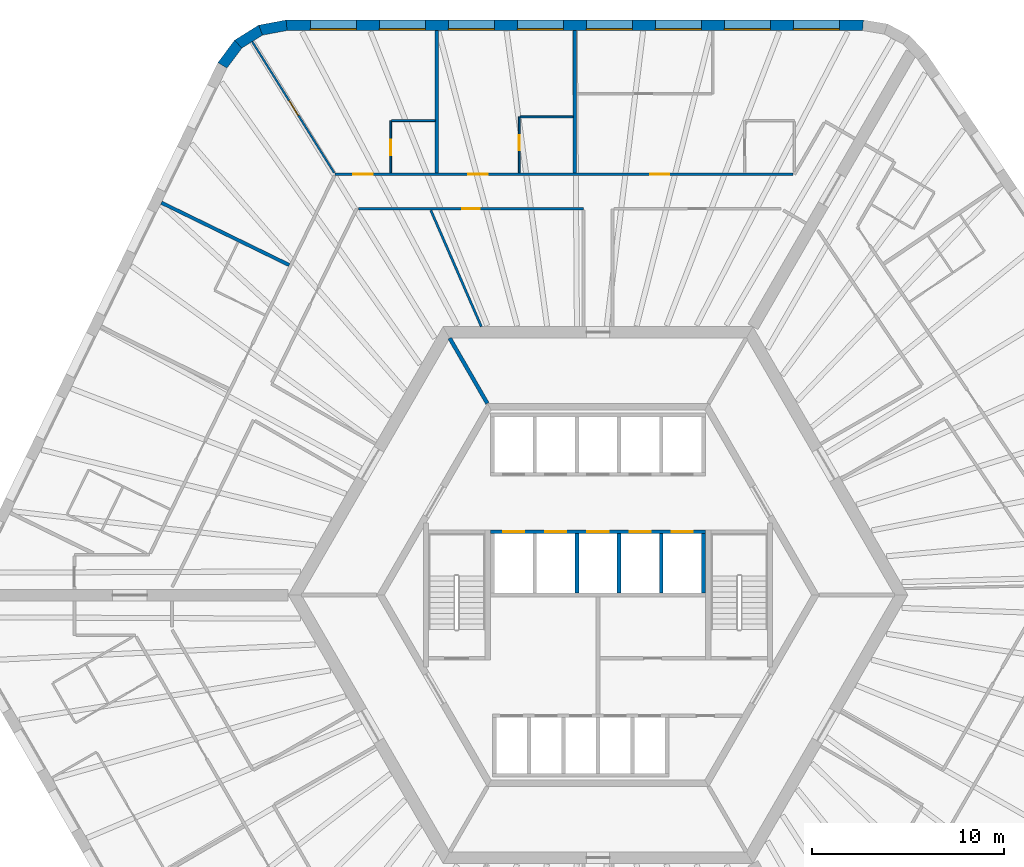
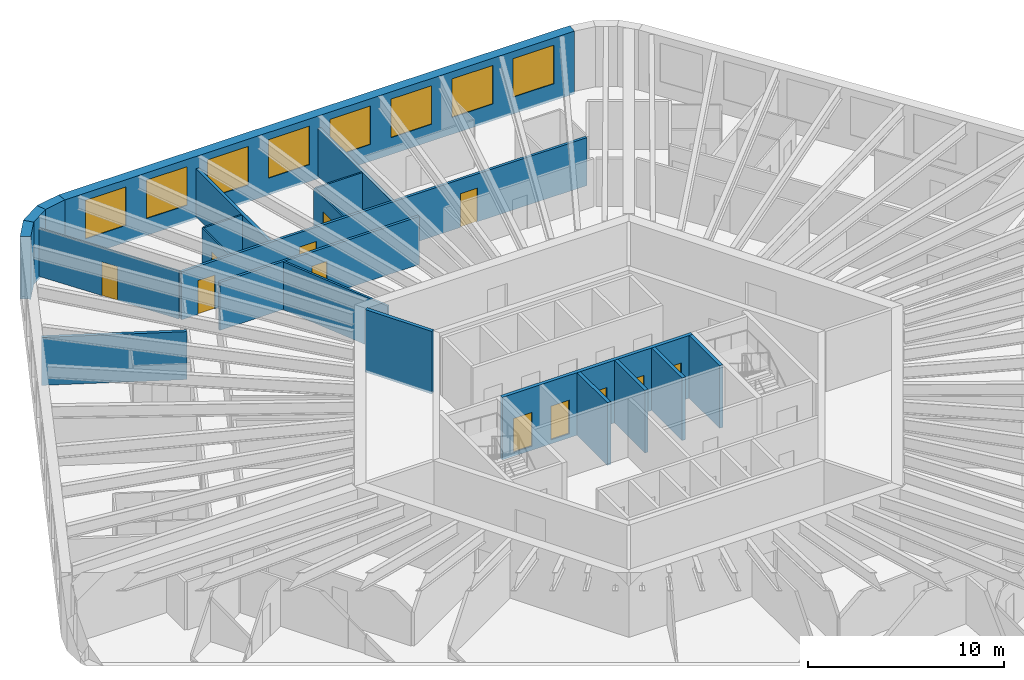
# One storey, part 8 of 12: 21 walls, 12 doors, 8 windows, 20 openings.
"""IFC4 building model written with IfcOpenShell, lengths in metres."""

from ifc_helpers import new_model, si_unit, direction, frame, frame_2d, origin, place, context, subcontext, project, spatial, polyline, rectangle, outline, extrude, material, layer, layer_set, type_object, element, fill, save


model = new_model("IFC4")

# Units and contexts
model_context = context("Model", 3, precision=1e-05, world=origin(), true_north=direction((0.0, 1.0)))
body_context = subcontext(model_context, "Body", "Model", "MODEL_VIEW")
ifc_project = project(units=[si_unit("LENGTHUNIT", "METRE"), si_unit("AREAUNIT", "SQUARE_METRE"), si_unit("VOLUMEUNIT", "CUBIC_METRE"), si_unit("PLANEANGLEUNIT", "RADIAN"), si_unit("MASSUNIT", "GRAM", prefix="KILO")], contexts=[model_context])

# Site, building, storey
site_placement = place(None, origin())
site = spatial("IfcSite", under=ifc_project, at=site_placement, CompositionType="ELEMENT")
building_placement = place(site_placement, origin())
building = spatial("IfcBuilding", under=site, at=building_placement, Name="Tarnside Tower", CompositionType="ELEMENT")
storey_placement = place(building_placement, frame((0.0, 0.0, 127.199951171875)))
storey = spatial("IfcBuildingStorey", under=building, at=storey_placement, Name="L29", CompositionType="ELEMENT", Elevation=127.199951171875)

# Wall, opening, door
ifc_material_1 = material(Name="Gypsum board partition on steel studs", Category="steel")
ifc_layer_1 = layer(ifc_material_1, 0.10009765625)
ifc_layer_set_1 = layer_set([ifc_layer_1], Name="Bathroom wall 100")
wall_type_1 = type_object("IfcWallType", Name="Bathroom wall 100", PredefinedType="PARTITIONING", material=ifc_layer_set_1)
wall_1_placement = place(storey_placement, frame((-4.111083984375, 22.02490234375, 0.0), z_axis=(0.0, 0.0, 1.0), x_axis=(0.0, 1.0, 0.0)))
wall_1 = element("IfcWall", 1, at=wall_1_placement, inside=storey, type_object=wall_type_1, Name="Bathroom wall 09089", PredefinedType="PARTITIONING", context=body_context, shape_type="SweptSolid", body=[
    extrude(rectangle(XDim=2.925048828125, YDim=0.10009765625, at=frame_2d((1.46240234375, 0.0))), origin(), (0.0, 0.0, 1.0), 2.98779296875),
])
opening_1_placement = place(wall_1_placement, frame((1.175048828125, 0.0, 0.0)))
opening_1 = element("IfcOpeningElement", 2, at=opening_1_placement, cuts=wall_1, Name="Opening D-B1", PredefinedType="OPENING", context=body_context, shape_type="SweptSolid", body=[
    extrude(rectangle(XDim=0.800048828125, YDim=2.10009765625, at=frame_2d((0.39990234375, 1.050048828125))), frame((0.0, 0.06005859375, 0.0), z_axis=(0.0, -1.0, 0.0), x_axis=(1.0, 0.0, 0.0)), (0.0, 0.0, 1.0), 0.1201171875),
])
ifc_material_2 = material(Name="Timber door leaf", Category="wood")
door_type_1 = type_object("IfcDoorType", Name="Bathroom door 800", OperationType="NOTDEFINED", PredefinedType="DOOR", material=ifc_material_2)
door_1_placement = place(opening_1_placement, origin())
door_1 = element("IfcDoor", 3, at=door_1_placement, inside=storey, type_object=door_type_1, Name="Bathroom door 09005", OperationType="SINGLE_SWING_LEFT", OverallHeight=2.10009765625, OverallWidth=0.800048828125, PredefinedType="DOOR", context=body_context, shape_type="SweptSolid", body=[
    extrude(rectangle(XDim=0.800048828125, YDim=2.10009765625, at=frame_2d((0.39990234375, 1.050048828125))), frame((0.0, 0.02490234375, 0.0), z_axis=(0.0, -1.0, 0.0), x_axis=(1.0, 0.0, 0.0)), (0.0, 0.0, 1.0), 0.050048828125),
])
fill(opening_1, door_1)

# Wall
wall_2_placement = place(storey_placement, frame((-4.06103515625, 24.949951171875, 0.0), z_axis=(0.0, 0.0, 1.0), x_axis=(1.0, 0.0, 0.0)))
element("IfcWall", 4, at=wall_2_placement, inside=storey, type_object=wall_type_1, Name="Bathroom wall 09090", PredefinedType="PARTITIONING", context=body_context, shape_type="SweptSolid", body=[
    extrude(rectangle(XDim=2.760009765625, YDim=0.10009765625, at=frame_2d((1.3798828125, 0.0))), origin(), (0.0, 0.0, 1.0), 2.98779296875),
])

# Wall, opening, door
wall_3_placement = place(storey_placement, frame((-10.81103515625, 22.02490234375, 0.0), z_axis=(0.0, 0.0, 1.0), x_axis=(0.0, 1.0, 0.0)))
wall_3 = element("IfcWall", 5, at=wall_3_placement, inside=storey, type_object=wall_type_1, Name="Bathroom wall 09093", PredefinedType="PARTITIONING", context=body_context, shape_type="SweptSolid", body=[
    extrude(rectangle(XDim=2.72509765625, YDim=0.10009765625, at=frame_2d((1.362548828125, 0.0))), origin(), (0.0, 0.0, 1.0), 2.98779296875),
])
opening_2_placement = place(wall_3_placement, frame((0.925048828125, 0.0, 0.0)))
opening_2 = element("IfcOpeningElement", 6, at=opening_2_placement, cuts=wall_3, Name="Opening D-B1", PredefinedType="OPENING", context=body_context, shape_type="SweptSolid", body=[
    extrude(rectangle(XDim=0.800048828125, YDim=2.10009765625, at=frame_2d((0.39990234375, 1.050048828125))), frame((0.0, 0.06005859375, 0.0), z_axis=(0.0, -1.0, 0.0), x_axis=(1.0, 0.0, 0.0)), (0.0, 0.0, 1.0), 0.1201171875),
])
door_2_placement = place(opening_2_placement, origin())
door_2 = element("IfcDoor", 7, at=door_2_placement, inside=storey, type_object=door_type_1, Name="Bathroom door 09007", OperationType="SINGLE_SWING_RIGHT", OverallHeight=2.10009765625, OverallWidth=0.800048828125, PredefinedType="DOOR", context=body_context, shape_type="SweptSolid", body=[
    extrude(rectangle(XDim=0.800048828125, YDim=2.10009765625, at=frame_2d((0.39990234375, 1.050048828125))), frame((0.0, 0.02490234375, 0.0), z_axis=(0.0, -1.0, 0.0), x_axis=(1.0, 0.0, 0.0)), (0.0, 0.0, 1.0), 0.050048828125),
])
fill(opening_2, door_2)

# Wall
wall_4_placement = place(storey_placement, frame((-10.760986328125, 24.75, 0.0), z_axis=(0.0, 0.0, 1.0), x_axis=(1.0, 0.0, 0.0)))
element("IfcWall", 8, at=wall_4_placement, inside=storey, type_object=wall_type_1, Name="Bathroom wall 09094", PredefinedType="PARTITIONING", context=body_context, shape_type="SweptSolid", body=[
    extrude(rectangle(XDim=2.260009765625, YDim=0.10009765625, at=frame_2d((1.1298828125, 0.0))), origin(), (0.0, 0.0, 1.0), 2.98779296875),
])

# Wall, openings, doors
ifc_layer_2 = layer(ifc_material_1, 0.14990234375)
ifc_layer_set_2 = layer_set([ifc_layer_2], Name="Corridor wall 150 EI 60")
wall_type_2 = type_object("IfcWallType", Name="Corridor wall 150 EI 60", PredefinedType="PARTITIONING", material=ifc_layer_set_2)
wall_5_placement = place(storey_placement, frame((10.161376953125, 21.949951171875, 0.0), z_axis=(0.0, 0.0, 1.0), x_axis=(-1.0, 0.0, 0.0)))
wall_5 = element("IfcWall", 9, at=wall_5_placement, inside=storey, type_object=wall_type_2, Name="Corridor wall 09001", PredefinedType="PARTITIONING", context=body_context, shape_type="SweptSolid", body=[
    extrude(rectangle(XDim=23.877197265625, YDim=0.14990234375, at=frame_2d((11.9384765625, 0.0))), origin(), (0.0, 0.0, 1.0), 2.98779296875),
])
opening_3_placement = place(wall_5_placement, frame((6.44287109375, 0.0, 0.0)))
opening_3 = element("IfcOpeningElement", 10, at=opening_3_placement, cuts=wall_5, Name="Opening D-E1", PredefinedType="OPENING", context=body_context, shape_type="SweptSolid", body=[
    extrude(rectangle(XDim=1.0, YDim=2.10009765625, at=frame_2d((0.5, 1.050048828125))), frame((0.0, 0.0849609375, 0.0), z_axis=(0.0, -1.0, 0.0), x_axis=(1.0, 0.0, 0.0)), (0.0, 0.0, 1.0), 0.169921875),
])
opening_4_placement = place(wall_5_placement, frame((15.92236328125, 0.0, 0.0)))
opening_4 = element("IfcOpeningElement", 11, at=opening_4_placement, cuts=wall_5, Name="Opening D-E1", PredefinedType="OPENING", context=body_context, shape_type="SweptSolid", body=[
    extrude(rectangle(XDim=1.0, YDim=2.10009765625, at=frame_2d((0.5, 1.050048828125))), frame((0.0, 0.0849609375, 0.0), z_axis=(0.0, -1.0, 0.0), x_axis=(1.0, 0.0, 0.0)), (0.0, 0.0, 1.0), 0.169921875),
])
opening_5_placement = place(wall_5_placement, frame((21.9248046875, 0.0, 0.0)))
opening_5 = element("IfcOpeningElement", 12, at=opening_5_placement, cuts=wall_5, Name="Opening D-E1", PredefinedType="OPENING", context=body_context, shape_type="SweptSolid", body=[
    extrude(rectangle(XDim=1.0, YDim=2.10009765625, at=frame_2d((0.5, 1.050048828125))), frame((0.0, 0.0849609375, 0.0), z_axis=(0.0, -1.0, 0.0), x_axis=(1.0, 0.0, 0.0)), (0.0, 0.0, 1.0), 0.169921875),
])
door_type_2 = type_object("IfcDoorType", Name="Unit entrance door 1000 FD30S", OperationType="NOTDEFINED", PredefinedType="DOOR", material=ifc_material_2)
door_3_placement = place(opening_3_placement, origin())
door_3 = element("IfcDoor", 13, at=door_3_placement, inside=storey, type_object=door_type_2, Name="Unit door 09001", OperationType="SINGLE_SWING_RIGHT", OverallHeight=2.10009765625, OverallWidth=1.0, PredefinedType="DOOR", context=body_context, shape_type="SweptSolid", body=[
    extrude(rectangle(XDim=1.0, YDim=2.10009765625, at=frame_2d((0.5, 1.050048828125))), frame((0.0, 0.02490234375, 0.0), z_axis=(0.0, -1.0, 0.0), x_axis=(1.0, 0.0, 0.0)), (0.0, 0.0, 1.0), 0.050048828125),
])
fill(opening_3, door_3)
door_4_placement = place(opening_4_placement, origin())
door_4 = element("IfcDoor", 14, at=door_4_placement, inside=storey, type_object=door_type_2, Name="Unit door 09004", OperationType="SINGLE_SWING_LEFT", OverallHeight=2.10009765625, OverallWidth=1.0, PredefinedType="DOOR", context=body_context, shape_type="SweptSolid", body=[
    extrude(rectangle(XDim=1.0, YDim=2.10009765625, at=frame_2d((0.5, 1.050048828125))), frame((0.0, 0.02490234375, 0.0), z_axis=(0.0, -1.0, 0.0), x_axis=(1.0, 0.0, 0.0)), (0.0, 0.0, 1.0), 0.050048828125),
])
fill(opening_4, door_4)
door_5_placement = place(opening_5_placement, origin())
door_5 = element("IfcDoor", 15, at=door_5_placement, inside=storey, type_object=door_type_2, Name="Unit door 09006", OperationType="SINGLE_SWING_LEFT", OverallHeight=2.10009765625, OverallWidth=1.0, PredefinedType="DOOR", context=body_context, shape_type="SweptSolid", body=[
    extrude(rectangle(XDim=1.0, YDim=2.10009765625, at=frame_2d((0.5, 1.050048828125))), frame((0.0, 0.02490234375, 0.0), z_axis=(0.0, -1.0, 0.0), x_axis=(1.0, 0.0, 0.0)), (0.0, 0.0, 1.0), 0.050048828125),
])
fill(opening_5, door_5)

# Wall, opening, door
wall_6_placement = place(storey_placement, frame((-12.507568359375, 20.14990234375, 0.0), z_axis=(0.0, 0.0, 1.0), x_axis=(1.0, 0.0, 0.0)))
wall_6 = element("IfcWall", 16, at=wall_6_placement, inside=storey, type_object=wall_type_2, Name="Corridor wall 09017", PredefinedType="PARTITIONING", context=body_context, shape_type="SweptSolid", body=[
    extrude(rectangle(XDim=11.757568359375, YDim=0.14990234375, at=frame_2d((5.87890625, 0.0))), origin(), (0.0, 0.0, 1.0), 2.98779296875),
])
opening_6_placement = place(wall_6_placement, frame((5.428955078125, 0.0, 0.0)))
opening_6 = element("IfcOpeningElement", 17, at=opening_6_placement, cuts=wall_6, Name="Opening D-S1", PredefinedType="OPENING", context=body_context, shape_type="SweptSolid", body=[
    extrude(rectangle(XDim=0.89990234375, YDim=2.10009765625, at=frame_2d((0.449951171875, 1.050048828125))), frame((0.0, 0.0849609375, 0.0), z_axis=(0.0, -1.0, 0.0), x_axis=(1.0, 0.0, 0.0)), (0.0, 0.0, 1.0), 0.169921875),
])
door_type_3 = type_object("IfcDoorType", Name="Service room door 900 FD30S", OperationType="NOTDEFINED", PredefinedType="DOOR", material=ifc_material_2)
door_6_placement = place(opening_6_placement, origin())
door_6 = element("IfcDoor", 18, at=door_6_placement, inside=storey, type_object=door_type_3, Name="Service door 09045", OperationType="SINGLE_SWING_RIGHT", OverallHeight=2.10009765625, OverallWidth=0.89990234375, PredefinedType="DOOR", context=body_context, shape_type="SweptSolid", body=[
    extrude(rectangle(XDim=0.89990234375, YDim=2.10009765625, at=frame_2d((0.449951171875, 1.050048828125))), frame((0.0, 0.02490234375, 0.0), z_axis=(0.0, -1.0, 0.0), x_axis=(1.0, 0.0, 0.0)), (0.0, 0.0, 1.0), 0.050048828125),
])
fill(opening_6, door_6)

# Walls
ifc_layer_3 = layer(ifc_material_1, 0.179931640625)
ifc_layer_set_3 = layer_set([ifc_layer_3], Name="Demising wall 180 EI 60")
wall_type_3 = type_object("IfcWallType", Name="Demising wall 180 EI 60", PredefinedType="PARTITIONING", material=ifc_layer_set_3)
for number, where, z_axis, x_axis, name in (
    (19, (-1.2109375, 29.449951171875, 0.0), (0.0, 0.0, 1.0), (0.0, -1.0, 0.0), "Demising wall 09086"),
    (20, (-8.4111328125, 29.449951171875, 0.0), (0.0, 0.0, 1.0), (0.0, -1.0, 0.0), "Demising wall 09091"),
    (21, (-22.7822265625, 20.469970703125, 0.0), (0.0, 0.0, 1.0), (0.898796252669, -0.438366623032, 0.0), "Demising wall 09096"),
):
    element("IfcWall", number, at=place(storey_placement, frame(where, z_axis=z_axis, x_axis=x_axis)), inside=storey, type_object=wall_type_3, Name=name, PredefinedType="PARTITIONING", context=body_context, shape_type="SweptSolid", body=[
        extrude(rectangle(XDim=7.425048828125, YDim=0.179931640625, at=frame_2d((3.71240234375, 0.0))), origin(), (0.0, 0.0, 1.0), 2.98779296875),
    ])

# Wall, openings, doors
ifc_material_3 = material(Name="Concrete C40/50", Category="concrete")
ifc_layer_4 = layer(ifc_material_3, 0.199951171875)
ifc_layer_set_4 = layer_set([ifc_layer_4], Name="Lift shaft wall 200 C40/50")
wall_type_4 = type_object("IfcWallType", Name="Lift shaft wall 200 C40/50", PredefinedType="SHEAR", material=ifc_layer_set_4)
wall_7_placement = place(storey_placement, frame((-5.60009765625, 3.300048828125, -0.25), z_axis=(0.0, 0.0, 1.0), x_axis=(1.0, 0.0, 0.0)))
wall_7 = element("IfcWall", 22, at=wall_7_placement, inside=storey, type_object=wall_type_4, Name="L29 lift shaft front wall R2", PredefinedType="SHEAR", context=body_context, shape_type="SweptSolid", body=[
    extrude(rectangle(XDim=11.2001953125, YDim=0.199951171875, at=frame_2d((5.60009765625, 0.0))), origin(), (0.0, 0.0, 1.0), 3.900146484375),
])
opening_7_placement = place(wall_7_placement, frame((0.64990234375, 0.0, 0.25)))
opening_7 = element("IfcOpeningElement", 23, at=opening_7_placement, cuts=wall_7, Name="Opening LD", PredefinedType="OPENING", context=body_context, shape_type="SweptSolid", body=[
    extrude(rectangle(XDim=1.10009765625, YDim=2.10009765625, at=frame_2d((0.550048828125, 1.050048828125))), frame((0.0, 0.10986328125, 0.0), z_axis=(0.0, -1.0, 0.0), x_axis=(1.0, 0.0, 0.0)), (0.0, 0.0, 1.0), 0.219970703125),
])
opening_8_placement = place(wall_7_placement, frame((2.85009765625, 0.0, 0.25)))
opening_8 = element("IfcOpeningElement", 24, at=opening_8_placement, cuts=wall_7, Name="Opening LD", PredefinedType="OPENING", context=body_context, shape_type="SweptSolid", body=[
    extrude(rectangle(XDim=1.10009765625, YDim=2.10009765625, at=frame_2d((0.550048828125, 1.050048828125))), frame((0.0, 0.10986328125, 0.0), z_axis=(0.0, -1.0, 0.0), x_axis=(1.0, 0.0, 0.0)), (0.0, 0.0, 1.0), 0.219970703125),
])
opening_9_placement = place(wall_7_placement, frame((5.050048828125, 0.0, 0.25)))
opening_9 = element("IfcOpeningElement", 25, at=opening_9_placement, cuts=wall_7, Name="Opening LD", PredefinedType="OPENING", context=body_context, shape_type="SweptSolid", body=[
    extrude(rectangle(XDim=1.10009765625, YDim=2.10009765625, at=frame_2d((0.550048828125, 1.050048828125))), frame((0.0, 0.10986328125, 0.0), z_axis=(0.0, -1.0, 0.0), x_axis=(1.0, 0.0, 0.0)), (0.0, 0.0, 1.0), 0.219970703125),
])
opening_10_placement = place(wall_7_placement, frame((7.25, 0.0, 0.25)))
opening_10 = element("IfcOpeningElement", 26, at=opening_10_placement, cuts=wall_7, Name="Opening LD", PredefinedType="OPENING", context=body_context, shape_type="SweptSolid", body=[
    extrude(rectangle(XDim=1.10009765625, YDim=2.10009765625, at=frame_2d((0.550048828125, 1.050048828125))), frame((0.0, 0.10986328125, 0.0), z_axis=(0.0, -1.0, 0.0), x_axis=(1.0, 0.0, 0.0)), (0.0, 0.0, 1.0), 0.219970703125),
])
opening_11_placement = place(wall_7_placement, frame((9.449951171875, 0.0, 0.25)))
opening_11 = element("IfcOpeningElement", 27, at=opening_11_placement, cuts=wall_7, Name="Opening LD", PredefinedType="OPENING", context=body_context, shape_type="SweptSolid", body=[
    extrude(rectangle(XDim=1.10009765625, YDim=2.10009765625, at=frame_2d((0.550048828125, 1.050048828125))), frame((0.0, 0.10986328125, 0.0), z_axis=(0.0, -1.0, 0.0), x_axis=(1.0, 0.0, 0.0)), (0.0, 0.0, 1.0), 0.219970703125),
])
ifc_material_4 = material(Name="Stainless steel", Category="steel")
door_type_4 = type_object("IfcDoorType", Name="Lift landing door 1100x2100", OperationType="NOTDEFINED", PredefinedType="DOOR", material=ifc_material_4)
door_7_placement = place(opening_7_placement, origin())
door_7 = element("IfcDoor", 28, at=door_7_placement, inside=storey, type_object=door_type_4, Name="Low-rise lift 4 landing door L29", OperationType="SLIDING_TO_LEFT", OverallHeight=2.10009765625, OverallWidth=1.10009765625, PredefinedType="DOOR", context=body_context, shape_type="SweptSolid", body=[
    extrude(rectangle(XDim=1.10009765625, YDim=2.10009765625, at=frame_2d((0.550048828125, 1.050048828125))), frame((0.0, 0.02490234375, 0.0), z_axis=(0.0, -1.0, 0.0), x_axis=(1.0, 0.0, 0.0)), (0.0, 0.0, 1.0), 0.050048828125),
])
fill(opening_7, door_7)
door_8_placement = place(opening_8_placement, origin())
door_8 = element("IfcDoor", 29, at=door_8_placement, inside=storey, type_object=door_type_4, Name="Low-rise lift 5 landing door L29", OperationType="SLIDING_TO_LEFT", OverallHeight=2.10009765625, OverallWidth=1.10009765625, PredefinedType="DOOR", context=body_context, shape_type="SweptSolid", body=[
    extrude(rectangle(XDim=1.10009765625, YDim=2.10009765625, at=frame_2d((0.550048828125, 1.050048828125))), frame((0.0, 0.02490234375, 0.0), z_axis=(0.0, -1.0, 0.0), x_axis=(1.0, 0.0, 0.0)), (0.0, 0.0, 1.0), 0.050048828125),
])
fill(opening_8, door_8)
door_9_placement = place(opening_9_placement, origin())
door_9 = element("IfcDoor", 30, at=door_9_placement, inside=storey, type_object=door_type_4, Name="Low-rise lift 6 landing door L29", OperationType="SLIDING_TO_LEFT", OverallHeight=2.10009765625, OverallWidth=1.10009765625, PredefinedType="DOOR", context=body_context, shape_type="SweptSolid", body=[
    extrude(rectangle(XDim=1.10009765625, YDim=2.10009765625, at=frame_2d((0.550048828125, 1.050048828125))), frame((0.0, 0.02490234375, 0.0), z_axis=(0.0, -1.0, 0.0), x_axis=(1.0, 0.0, 0.0)), (0.0, 0.0, 1.0), 0.050048828125),
])
fill(opening_9, door_9)
door_10_placement = place(opening_10_placement, origin())
door_10 = element("IfcDoor", 31, at=door_10_placement, inside=storey, type_object=door_type_4, Name="High sky-lobby shuttle 1 landing door L29", OperationType="SLIDING_TO_LEFT", OverallHeight=2.10009765625, OverallWidth=1.10009765625, PredefinedType="DOOR", context=body_context, shape_type="SweptSolid", body=[
    extrude(rectangle(XDim=1.10009765625, YDim=2.10009765625, at=frame_2d((0.550048828125, 1.050048828125))), frame((0.0, 0.02490234375, 0.0), z_axis=(0.0, -1.0, 0.0), x_axis=(1.0, 0.0, 0.0)), (0.0, 0.0, 1.0), 0.050048828125),
])
fill(opening_10, door_10)
door_11_placement = place(opening_11_placement, origin())
door_11 = element("IfcDoor", 32, at=door_11_placement, inside=storey, type_object=door_type_4, Name="Express sky-lobby shuttle 2 landing door L29", OperationType="SLIDING_TO_LEFT", OverallHeight=2.10009765625, OverallWidth=1.10009765625, PredefinedType="DOOR", context=body_context, shape_type="SweptSolid", body=[
    extrude(rectangle(XDim=1.10009765625, YDim=2.10009765625, at=frame_2d((0.550048828125, 1.050048828125))), frame((0.0, 0.02490234375, 0.0), z_axis=(0.0, -1.0, 0.0), x_axis=(1.0, 0.0, 0.0)), (0.0, 0.0, 1.0), 0.050048828125),
])
fill(opening_11, door_11)

# Walls
for number, where, z_axis, x_axis, name in (
    (33, (-1.10009765625, 0.10009765625, -0.25), (0.0, 0.0, 1.0), (0.0, 1.0, 0.0), "L29 lift shaft partition R23"),
    (34, (1.10009765625, 0.10009765625, -0.25), (0.0, 0.0, 1.0), (0.0, 1.0, 0.0), "L29 lift shaft partition R24"),
    (35, (3.300048828125, 0.10009765625, -0.25), (0.0, 0.0, 1.0), (0.0, 1.0, 0.0), "L29 lift shaft partition R25"),
    (36, (5.5, 0.10009765625, -0.25), (0.0, 0.0, 1.0), (0.0, 1.0, 0.0), "L29 lift shaft partition R26"),
):
    element("IfcWall", number, at=place(storey_placement, frame(where, z_axis=z_axis, x_axis=x_axis)), inside=storey, type_object=wall_type_4, Name=name, PredefinedType="SHEAR", context=body_context, shape_type="SweptSolid", body=[
        extrude(rectangle(XDim=3.099853515625, YDim=0.199951171875, at=frame_2d((1.5498046875, 0.0))), origin(), (0.0, 0.0, 1.0), 3.900146484375),
    ])
wall_8_placement = place(storey_placement, frame((-5.7734375, 10.0, -0.14990234375), z_axis=(0.0, 0.0, 1.0), x_axis=(-0.500038251005, 0.86600331843, 0.0)))
element("IfcWall", 37, at=wall_8_placement, inside=storey, type_object=wall_type_4, Name="L29 core partition AR120", PredefinedType="SHEAR", context=body_context, shape_type="SweptSolid", body=[
    extrude(rectangle(XDim=3.926025390625, YDim=0.199951171875, at=frame_2d((1.962890625, 0.0))), origin(), (0.0, 0.0, 1.0), 3.89990234375),
])

# Wall, opening, door
ifc_layer_5 = layer(ifc_material_1, 0.10009765625)
ifc_layer_set_5 = layer_set([ifc_layer_5], Name="Partition 100")
wall_type_5 = type_object("IfcWallType", Name="Partition 100", PredefinedType="PARTITIONING", material=ifc_layer_set_5)
wall_9_placement = place(storey_placement, frame((-18.040771484375, 28.87109375, 0.0), z_axis=(0.0, 0.0, 1.0), x_axis=(0.529928260537, -0.848042474575, 0.0)))
wall_9 = element("IfcWall", 38, at=wall_9_placement, inside=storey, type_object=wall_type_5, Name="Partition wall 09095", PredefinedType="PARTITIONING", context=body_context, shape_type="SweptSolid", body=[
    extrude(rectangle(XDim=8.072998046875, YDim=0.10009765625, at=frame_2d((4.03662109375, 0.0))), origin(), (0.0, 0.0, 1.0), 2.98779296875),
])
opening_12_placement = place(wall_9_placement, frame((3.630615234375, 0.0, 0.0)))
opening_12 = element("IfcOpeningElement", 39, at=opening_12_placement, cuts=wall_9, Name="Opening D-I1", PredefinedType="OPENING", context=body_context, shape_type="SweptSolid", body=[
    extrude(rectangle(XDim=0.89990234375, YDim=2.10009765625, at=frame_2d((0.449951171875, 1.050048828125))), frame((0.0, 0.06005859375, 0.0), z_axis=(0.0, -1.0, 0.0), x_axis=(1.0, 0.0, 0.0)), (0.0, 0.0, 1.0), 0.1201171875),
])
door_type_5 = type_object("IfcDoorType", Name="Internal door 900", OperationType="NOTDEFINED", PredefinedType="DOOR", material=ifc_material_2)
door_12_placement = place(opening_12_placement, origin())
door_12 = element("IfcDoor", 40, at=door_12_placement, inside=storey, type_object=door_type_5, Name="Internal door 09008", OperationType="SINGLE_SWING_LEFT", OverallHeight=2.10009765625, OverallWidth=0.89990234375, PredefinedType="DOOR", context=body_context, shape_type="SweptSolid", body=[
    extrude(rectangle(XDim=0.89990234375, YDim=2.10009765625, at=frame_2d((0.449951171875, 1.050048828125))), frame((0.0, 0.02490234375, 0.0), z_axis=(0.0, -1.0, 0.0), x_axis=(1.0, 0.0, 0.0)), (0.0, 0.0, 1.0), 0.050048828125),
])
fill(opening_12, door_12)

# Wall
ifc_layer_6 = layer(ifc_material_1, 0.1201171875)
ifc_layer_set_6 = layer_set([ifc_layer_6], Name="Service room wall 120 EI 60")
wall_type_6 = type_object("IfcWallType", Name="Service room wall 120 EI 60", PredefinedType="PARTITIONING", material=ifc_layer_set_6)
wall_10_placement = place(storey_placement, frame((-8.72412109375, 20.074951171875, 0.0), z_axis=(0.0, 0.0, 1.0), x_axis=(0.398549547162, -0.917146803111, 0.0)))
element("IfcWall", 41, at=wall_10_placement, inside=storey, type_object=wall_type_6, Name="Service wall 09174", PredefinedType="PARTITIONING", context=body_context, shape_type="SweptSolid", body=[
    extrude(rectangle(XDim=6.623779296875, YDim=0.1201171875, at=frame_2d((3.31201171875, 0.0))), origin(), (0.0, 0.0, 1.0), 2.98779296875),
])

# Wall, openings, windows
ifc_material_5 = material(Name="Facing brick", Category="masonry")
ifc_layer_7 = layer(ifc_material_5, 0.10205078125)
ifc_material_6 = material(Name="Concrete C60/75 precast", Category="concrete")
ifc_layer_8 = layer(ifc_material_6, 0.347900390625)
ifc_material_7 = material(Name="Mineral wool insulation")
ifc_layer_9 = layer(ifc_material_7, 0.10009765625)
ifc_layer_set_7 = layer_set([ifc_layer_7, ifc_layer_8, ifc_layer_9], Name="Tube wall 550 brick faced")
wall_type_7 = type_object("IfcWallType", Name="Tube wall 550 brick faced", PredefinedType="SOLIDWALL", material=ifc_layer_set_7)
wall_11_placement = place(storey_placement, frame((13.824462890625, 29.72509765625, -0.14990234375), z_axis=(0.0, 0.0, 1.0), x_axis=(-1.0, 0.0, 0.0)))
wall_11 = element("IfcWall", 42, at=wall_11_placement, inside=storey, type_object=wall_type_7, Name="Tube wall L29 F1 flush 00", PredefinedType="SOLIDWALL", context=body_context, shape_type="SweptSolid", body=[
    extrude(outline(polyline([(-0.0224609375, -0.27490234375), (30.0966796875, -0.27490234375), (30.04541015625, 0.27490234375), (0.0224609375, 0.27490234375), (-0.0224609375, -0.27490234375)])), origin(), (0.0, 0.0, 1.0), 3.89990234375),
])
opening_13_placement = place(wall_11_placement, frame((1.235595703125, 0.0, 1.050048828125)))
opening_13 = element("IfcOpeningElement", 43, at=opening_13_placement, cuts=wall_11, Name="Opening WH", PredefinedType="OPENING", context=body_context, shape_type="SweptSolid", body=[
    extrude(rectangle(XDim=2.39990234375, YDim=2.39990234375, at=frame_2d((1.199951171875, 1.199951171875))), frame((0.0, 0.28515625, 0.0), z_axis=(0.0, -1.0, 0.0), x_axis=(1.0, 0.0, 0.0)), (0.0, 0.0, 1.0), 0.570068359375),
])
opening_14_placement = place(wall_11_placement, frame((4.83544921875, 0.0, 1.050048828125)))
opening_14 = element("IfcOpeningElement", 44, at=opening_14_placement, cuts=wall_11, Name="Opening WH", PredefinedType="OPENING", context=body_context, shape_type="SweptSolid", body=[
    extrude(rectangle(XDim=2.39990234375, YDim=2.39990234375, at=frame_2d((1.199951171875, 1.199951171875))), frame((0.0, 0.28515625, 0.0), z_axis=(0.0, -1.0, 0.0), x_axis=(1.0, 0.0, 0.0)), (0.0, 0.0, 1.0), 0.570068359375),
])
opening_15_placement = place(wall_11_placement, frame((8.435546875, 0.0, 1.050048828125)))
opening_15 = element("IfcOpeningElement", 45, at=opening_15_placement, cuts=wall_11, Name="Opening WH", PredefinedType="OPENING", context=body_context, shape_type="SweptSolid", body=[
    extrude(rectangle(XDim=2.39990234375, YDim=2.39990234375, at=frame_2d((1.199951171875, 1.199951171875))), frame((0.0, 0.28515625, 0.0), z_axis=(0.0, -1.0, 0.0), x_axis=(1.0, 0.0, 0.0)), (0.0, 0.0, 1.0), 0.570068359375),
])
opening_16_placement = place(wall_11_placement, frame((12.035400390625, 0.0, 1.050048828125)))
opening_16 = element("IfcOpeningElement", 46, at=opening_16_placement, cuts=wall_11, Name="Opening WH", PredefinedType="OPENING", context=body_context, shape_type="SweptSolid", body=[
    extrude(rectangle(XDim=2.39990234375, YDim=2.39990234375, at=frame_2d((1.199951171875, 1.199951171875))), frame((0.0, 0.28515625, 0.0), z_axis=(0.0, -1.0, 0.0), x_axis=(1.0, 0.0, 0.0)), (0.0, 0.0, 1.0), 0.570068359375),
])
opening_17_placement = place(wall_11_placement, frame((15.635498046875, 0.0, 1.050048828125)))
opening_17 = element("IfcOpeningElement", 47, at=opening_17_placement, cuts=wall_11, Name="Opening WH", PredefinedType="OPENING", context=body_context, shape_type="SweptSolid", body=[
    extrude(rectangle(XDim=2.39990234375, YDim=2.39990234375, at=frame_2d((1.199951171875, 1.199951171875))), frame((0.0, 0.28515625, 0.0), z_axis=(0.0, -1.0, 0.0), x_axis=(1.0, 0.0, 0.0)), (0.0, 0.0, 1.0), 0.570068359375),
])
opening_18_placement = place(wall_11_placement, frame((19.235595703125, 0.0, 1.050048828125)))
opening_18 = element("IfcOpeningElement", 48, at=opening_18_placement, cuts=wall_11, Name="Opening WH", PredefinedType="OPENING", context=body_context, shape_type="SweptSolid", body=[
    extrude(rectangle(XDim=2.39990234375, YDim=2.39990234375, at=frame_2d((1.199951171875, 1.199951171875))), frame((0.0, 0.28515625, 0.0), z_axis=(0.0, -1.0, 0.0), x_axis=(1.0, 0.0, 0.0)), (0.0, 0.0, 1.0), 0.570068359375),
])
opening_19_placement = place(wall_11_placement, frame((22.83544921875, 0.0, 1.050048828125)))
opening_19 = element("IfcOpeningElement", 49, at=opening_19_placement, cuts=wall_11, Name="Opening WH", PredefinedType="OPENING", context=body_context, shape_type="SweptSolid", body=[
    extrude(rectangle(XDim=2.39990234375, YDim=2.39990234375, at=frame_2d((1.199951171875, 1.199951171875))), frame((0.0, 0.28515625, 0.0), z_axis=(0.0, -1.0, 0.0), x_axis=(1.0, 0.0, 0.0)), (0.0, 0.0, 1.0), 0.570068359375),
])
opening_20_placement = place(wall_11_placement, frame((26.435546875, 0.0, 1.050048828125)))
opening_20 = element("IfcOpeningElement", 50, at=opening_20_placement, cuts=wall_11, Name="Opening WH", PredefinedType="OPENING", context=body_context, shape_type="SweptSolid", body=[
    extrude(rectangle(XDim=2.39990234375, YDim=2.39990234375, at=frame_2d((1.199951171875, 1.199951171875))), frame((0.0, 0.28515625, 0.0), z_axis=(0.0, -1.0, 0.0), x_axis=(1.0, 0.0, 0.0)), (0.0, 0.0, 1.0), 0.570068359375),
])
ifc_material_8 = material(Name="Aluminium-framed double glazing", Category="aluminium")
window_type = type_object("IfcWindowType", Name="Hotel window 2400 x 2400", PartitioningType="DOUBLE_PANEL_VERTICAL", PredefinedType="WINDOW", material=ifc_material_8)
window_1_placement = place(opening_13_placement, frame((0.0, 0.205078125, 0.0)))
window_1 = element("IfcWindow", 51, at=window_1_placement, inside=storey, type_object=window_type, Name="E.WN.L29.F1.00", OverallHeight=2.39990234375, OverallWidth=2.39990234375, PartitioningType="DOUBLE_PANEL_VERTICAL", PredefinedType="WINDOW", context=body_context, shape_type="SweptSolid", body=[
    extrude(rectangle(XDim=2.39990234375, YDim=2.39990234375, at=frame_2d((1.199951171875, 1.199951171875))), frame((0.0, 0.030029296875, 0.0), z_axis=(0.0, -1.0, 0.0), x_axis=(1.0, 0.0, 0.0)), (0.0, 0.0, 1.0), 0.06005859375),
])
fill(opening_13, window_1)
window_2_placement = place(opening_14_placement, frame((0.0, 0.205078125, 0.0)))
window_2 = element("IfcWindow", 52, at=window_2_placement, inside=storey, type_object=window_type, Name="E.WN.L29.F1.01", OverallHeight=2.39990234375, OverallWidth=2.39990234375, PartitioningType="DOUBLE_PANEL_VERTICAL", PredefinedType="WINDOW", context=body_context, shape_type="SweptSolid", body=[
    extrude(rectangle(XDim=2.39990234375, YDim=2.39990234375, at=frame_2d((1.199951171875, 1.199951171875))), frame((0.0, 0.030029296875, 0.0), z_axis=(0.0, -1.0, 0.0), x_axis=(1.0, 0.0, 0.0)), (0.0, 0.0, 1.0), 0.06005859375),
])
fill(opening_14, window_2)
window_3_placement = place(opening_15_placement, frame((0.0, 0.205078125, 0.0)))
window_3 = element("IfcWindow", 53, at=window_3_placement, inside=storey, type_object=window_type, Name="E.WN.L29.F1.02", OverallHeight=2.39990234375, OverallWidth=2.39990234375, PartitioningType="DOUBLE_PANEL_VERTICAL", PredefinedType="WINDOW", context=body_context, shape_type="SweptSolid", body=[
    extrude(rectangle(XDim=2.39990234375, YDim=2.39990234375, at=frame_2d((1.199951171875, 1.199951171875))), frame((0.0, 0.030029296875, 0.0), z_axis=(0.0, -1.0, 0.0), x_axis=(1.0, 0.0, 0.0)), (0.0, 0.0, 1.0), 0.06005859375),
])
fill(opening_15, window_3)
window_4_placement = place(opening_16_placement, frame((0.0, 0.205078125, 0.0)))
window_4 = element("IfcWindow", 54, at=window_4_placement, inside=storey, type_object=window_type, Name="E.WN.L29.F1.03", OverallHeight=2.39990234375, OverallWidth=2.39990234375, PartitioningType="DOUBLE_PANEL_VERTICAL", PredefinedType="WINDOW", context=body_context, shape_type="SweptSolid", body=[
    extrude(rectangle(XDim=2.39990234375, YDim=2.39990234375, at=frame_2d((1.199951171875, 1.199951171875))), frame((0.0, 0.030029296875, 0.0), z_axis=(0.0, -1.0, 0.0), x_axis=(1.0, 0.0, 0.0)), (0.0, 0.0, 1.0), 0.06005859375),
])
fill(opening_16, window_4)
window_5_placement = place(opening_17_placement, frame((0.0, 0.205078125, 0.0)))
window_5 = element("IfcWindow", 55, at=window_5_placement, inside=storey, type_object=window_type, Name="E.WN.L29.F1.04", OverallHeight=2.39990234375, OverallWidth=2.39990234375, PartitioningType="DOUBLE_PANEL_VERTICAL", PredefinedType="WINDOW", context=body_context, shape_type="SweptSolid", body=[
    extrude(rectangle(XDim=2.39990234375, YDim=2.39990234375, at=frame_2d((1.199951171875, 1.199951171875))), frame((0.0, 0.030029296875, 0.0), z_axis=(0.0, -1.0, 0.0), x_axis=(1.0, 0.0, 0.0)), (0.0, 0.0, 1.0), 0.06005859375),
])
fill(opening_17, window_5)
window_6_placement = place(opening_18_placement, frame((0.0, 0.205078125, 0.0)))
window_6 = element("IfcWindow", 56, at=window_6_placement, inside=storey, type_object=window_type, Name="E.WN.L29.F1.05", OverallHeight=2.39990234375, OverallWidth=2.39990234375, PartitioningType="DOUBLE_PANEL_VERTICAL", PredefinedType="WINDOW", context=body_context, shape_type="SweptSolid", body=[
    extrude(rectangle(XDim=2.39990234375, YDim=2.39990234375, at=frame_2d((1.199951171875, 1.199951171875))), frame((0.0, 0.030029296875, 0.0), z_axis=(0.0, -1.0, 0.0), x_axis=(1.0, 0.0, 0.0)), (0.0, 0.0, 1.0), 0.06005859375),
])
fill(opening_18, window_6)
window_7_placement = place(opening_19_placement, frame((0.0, 0.205078125, 0.0)))
window_7 = element("IfcWindow", 57, at=window_7_placement, inside=storey, type_object=window_type, Name="E.WN.L29.F1.06", OverallHeight=2.39990234375, OverallWidth=2.39990234375, PartitioningType="DOUBLE_PANEL_VERTICAL", PredefinedType="WINDOW", context=body_context, shape_type="SweptSolid", body=[
    extrude(rectangle(XDim=2.39990234375, YDim=2.39990234375, at=frame_2d((1.199951171875, 1.199951171875))), frame((0.0, 0.030029296875, 0.0), z_axis=(0.0, -1.0, 0.0), x_axis=(1.0, 0.0, 0.0)), (0.0, 0.0, 1.0), 0.06005859375),
])
fill(opening_19, window_7)
window_8_placement = place(opening_20_placement, frame((0.0, 0.205078125, 0.0)))
window_8 = element("IfcWindow", 58, at=window_8_placement, inside=storey, type_object=window_type, Name="E.WN.L29.F1.07", OverallHeight=2.39990234375, OverallWidth=2.39990234375, PartitioningType="DOUBLE_PANEL_VERTICAL", PredefinedType="WINDOW", context=body_context, shape_type="SweptSolid", body=[
    extrude(rectangle(XDim=2.39990234375, YDim=2.39990234375, at=frame_2d((1.199951171875, 1.199951171875))), frame((0.0, 0.030029296875, 0.0), z_axis=(0.0, -1.0, 0.0), x_axis=(1.0, 0.0, 0.0)), (0.0, 0.0, 1.0), 0.06005859375),
])
fill(opening_20, window_8)

# Walls
wall_12_placement = place(storey_placement, frame((-16.24658203125, 29.72509765625, -0.14990234375), z_axis=(0.0, 0.0, 1.0), x_axis=(-0.982705443133, -0.185175624845, 0.0)))
element("IfcWall", 59, at=wall_12_placement, inside=storey, type_object=wall_type_7, Name="Tube wall L29 F1 chord 01", PredefinedType="SOLIDWALL", context=body_context, shape_type="SweptSolid", body=[
    extrude(outline(polyline([(-0.025634765625, -0.27490234375), (1.430908203125, -0.27490234375), (1.327392578125, 0.27490234375), (0.025634765625, 0.27490234375), (-0.025634765625, -0.27490234375)])), origin(), (0.0, 0.0, 1.0), 3.89990234375),
])
wall_13_placement = place(storey_placement, frame((-17.601806640625, 29.4697265625, -0.14990234375), z_axis=(0.0, 0.0, 1.0), x_axis=(-0.848057977594, -0.5299034503, 0.0)))
element("IfcWall", 60, at=wall_13_placement, inside=storey, type_object=wall_type_7, Name="Tube wall L29 F1 chord 02", PredefinedType="SOLIDWALL", context=body_context, shape_type="SweptSolid", body=[
    extrude(outline(polyline([(-0.0517578125, -0.27490234375), (1.4306640625, -0.27490234375), (1.3271484375, 0.27490234375), (0.0517578125, 0.27490234375), (-0.0517578125, -0.27490234375)])), origin(), (0.0, 0.0, 1.0), 3.89990234375),
])
wall_14_placement = place(storey_placement, frame((-18.771240234375, 28.739013671875, -0.14990234375), z_axis=(0.0, 0.0, 1.0), x_axis=(-0.597135295884, -0.802140535324, 0.0)))
element("IfcWall", 61, at=wall_14_placement, inside=storey, type_object=wall_type_7, Name="Tube wall L29 F1 chord 03", PredefinedType="SOLIDWALL", context=body_context, shape_type="SweptSolid", body=[
    extrude(outline(polyline([(-0.0517578125, -0.27490234375), (1.40478515625, -0.27490234375), (1.353515625, 0.27490234375), (0.0517578125, 0.27490234375), (-0.0517578125, -0.27490234375)])), origin(), (0.0, 0.0, 1.0), 3.89990234375),
])

save(model, "model.ifc")
